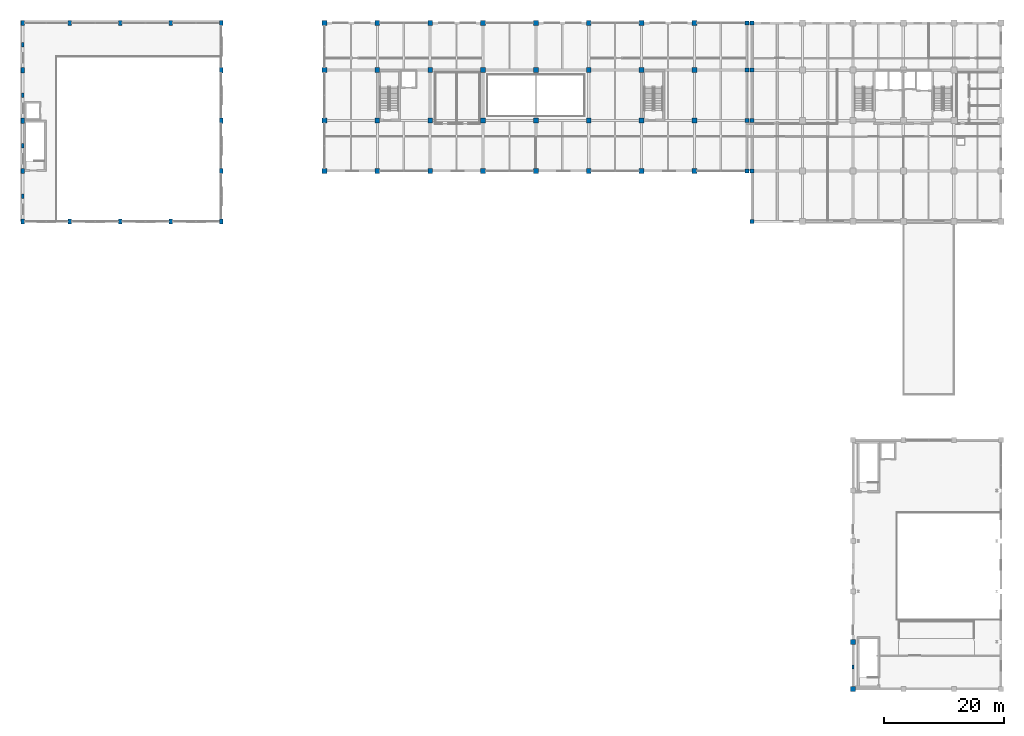
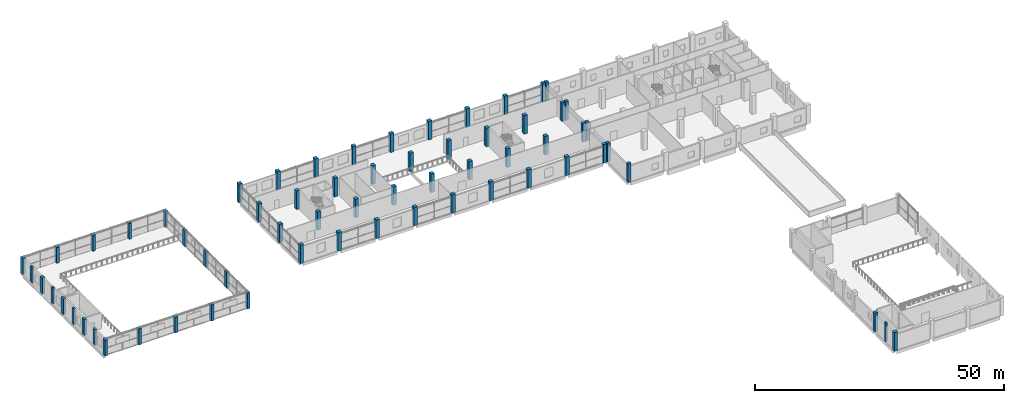
# One storey, part 1 of 31: 64 columns.
"""IFC4 building model written with IfcOpenShell, lengths in metres."""

from ifc_helpers import new_model, si_unit, direction, frame, origin, origin_2d, place, context, subcontext, project, spatial, rectangle, extrude, material, material_profile, profile_set, type_object, element, save


model = new_model("IFC4")

# Units and contexts
model_context = context("Model", 3, precision=1e-05, world=origin(), true_north=direction((0.0, 1.0)))
body_context = subcontext(model_context, "Body", "Model", "MODEL_VIEW")
ifc_project = project(units=[si_unit("LENGTHUNIT", "METRE"), si_unit("AREAUNIT", "SQUARE_METRE"), si_unit("VOLUMEUNIT", "CUBIC_METRE"), si_unit("PLANEANGLEUNIT", "RADIAN"), si_unit("MASSUNIT", "GRAM", prefix="KILO")], contexts=[model_context])

# Site, building, storey
site_placement = place(None, origin())
site = spatial("IfcSite", under=ifc_project, at=site_placement, CompositionType="ELEMENT")
building_placement = place(site_placement, origin())
building = spatial("IfcBuilding", under=site, at=building_placement, Name="Brinegate Botanical Conservatory", CompositionType="ELEMENT")
storey_placement = place(building_placement, frame((0.0, 0.0, 5.39990234375)))
storey = spatial("IfcBuildingStorey", under=building, at=storey_placement, Name="L02", CompositionType="ELEMENT", Elevation=5.39990234375)

# Columns
ifc_material_1 = material(Name="Concrete C50/60", Category="concrete")
ifc_material_profile_1 = material_profile(ifc_material_1, rectangle(XDim=0.699951171875, YDim=0.699951171875, at=origin_2d()), Name="RC COL 700x700")
ifc_profile_set_1 = profile_set([ifc_material_profile_1], Name="Concrete C50/60")
column_type_1 = type_object("IfcColumnType", Name="Col_C-JT", PredefinedType="COLUMN", material=ifc_profile_set_1)
for number, where, z_axis, x_axis, name in (
    (1, (121.14990234375, 86.800048828125, 0.0), (0.0, 0.0, 1.0), (1.0, 0.0, 0.0), "Column C-JT L02 L-15"),
    (2, (121.14990234375, 95.199951171875, 0.0), (0.0, 0.0, 1.0), (1.0, 0.0, 0.0), "Column C-JT L02 M-15"),
    (3, (121.14990234375, 103.60009765625, 0.0), (0.0, 0.0, 1.0), (1.0, 0.0, 0.0), "Column C-JT L02 N-15"),
    (4, (121.14990234375, 111.449951171875, 0.0), (0.0, 0.0, 1.0), (1.0, 0.0, 0.0), "Column C-JT L02 P-15"),
    (5, (122.0, 78.39990234375, 0.0), (0.0, 0.0, 1.0), (1.0, 0.0, 0.0), "Column C-JT L02 K-16"),
    (6, (122.0, 86.800048828125, 0.0), (0.0, 0.0, 1.0), (1.0, 0.0, 0.0), "Column C-JT L02 L-16"),
    (7, (122.0, 95.199951171875, 0.0), (0.0, 0.0, 1.0), (1.0, 0.0, 0.0), "Column C-JT L02 M-16"),
    (8, (122.0, 103.60009765625, 0.0), (0.0, 0.0, 1.0), (1.0, 0.0, 0.0), "Column C-JT L02 N-16"),
    (9, (122.0, 111.449951171875, 0.0), (0.0, 0.0, 1.0), (1.0, 0.0, 0.0), "Column C-JT L02 P-16"),
):
    element("IfcColumn", number, at=place(storey_placement, frame(where, z_axis=z_axis, x_axis=x_axis)), inside=storey, type_object=column_type_1, Name=name, PredefinedType="COLUMN", context=body_context, shape_type="SweptSolid", body=[
        extrude(rectangle(XDim=0.699951171875, YDim=0.699951171875, at=origin_2d()), origin(), (0.0, 0.0, 1.0), 4.580078125),
    ])
ifc_material_2 = material(Name="Concrete C40/50", Category="concrete")
ifc_material_profile_2 = material_profile(ifc_material_2, rectangle(XDim=0.60009765625, YDim=0.89990234375, at=origin_2d()), Name="RC PIER 600x900")
ifc_profile_set_2 = profile_set([ifc_material_profile_2], Name="Concrete C40/50")
column_type_2 = type_object("IfcColumnType", Name="Col_C-V1", PredefinedType="COLUMN", material=ifc_profile_set_2)
for number, where, z_axis, x_axis, name in (
    (10, (0.550048828125, 78.39990234375, 0.0), (0.0, 0.0, 1.0), (1.0, 0.0, 0.0), "Column C-V1 L02 K-1"),
    (11, (0.550048828125, 86.800048828125, 0.0), (0.0, 0.0, 1.0), (1.0, 0.0, 0.0), "Column C-V1 L02 L-1"),
    (12, (0.550048828125, 95.199951171875, 0.0), (0.0, 0.0, 1.0), (1.0, 0.0, 0.0), "Column C-V1 L02 M-1"),
    (13, (0.550048828125, 103.60009765625, 0.0), (0.0, 0.0, 1.0), (1.0, 0.0, 0.0), "Column C-V1 L02 N-1"),
    (14, (0.550048828125, 111.449951171875, 0.0), (0.0, 0.0, 1.0), (1.0, 0.0, 0.0), "Column C-V1 L02 P-1"),
    (15, (8.39990234375, 78.39990234375, 0.0), (0.0, 0.0, 1.0), (1.0, 0.0, 0.0), "Column C-V1 L02 K-2"),
    (16, (8.39990234375, 111.449951171875, 0.0), (0.0, 0.0, 1.0), (1.0, 0.0, 0.0), "Column C-V1 L02 P-2"),
    (17, (16.800048828125, 78.39990234375, 0.0), (0.0, 0.0, 1.0), (1.0, 0.0, 0.0), "Column C-V1 L02 K-3"),
    (18, (16.800048828125, 111.449951171875, 0.0), (0.0, 0.0, 1.0), (1.0, 0.0, 0.0), "Column C-V1 L02 P-3"),
    (19, (25.199951171875, 78.39990234375, 0.0), (0.0, 0.0, 1.0), (1.0, 0.0, 0.0), "Column C-V1 L02 K-4"),
    (20, (25.199951171875, 111.449951171875, 0.0), (0.0, 0.0, 1.0), (1.0, 0.0, 0.0), "Column C-V1 L02 P-4"),
    (21, (33.60009765625, 78.39990234375, 0.0), (0.0, 0.0, 1.0), (1.0, 0.0, 0.0), "Column C-V1 L02 K-5"),
    (22, (33.60009765625, 86.800048828125, 0.0), (0.0, 0.0, 1.0), (1.0, 0.0, 0.0), "Column C-V1 L02 L-5"),
    (23, (33.60009765625, 95.199951171875, 0.0), (0.0, 0.0, 1.0), (1.0, 0.0, 0.0), "Column C-V1 L02 M-5"),
    (24, (33.60009765625, 103.60009765625, 0.0), (0.0, 0.0, 1.0), (1.0, 0.0, 0.0), "Column C-V1 L02 N-5"),
    (25, (33.60009765625, 111.449951171875, 0.0), (0.0, 0.0, 1.0), (1.0, 0.0, 0.0), "Column C-V1 L02 P-5"),
):
    element("IfcColumn", number, at=place(storey_placement, frame(where, z_axis=z_axis, x_axis=x_axis)), inside=storey, type_object=column_type_2, Name=name, PredefinedType="COLUMN", context=body_context, shape_type="SweptSolid", body=[
        extrude(rectangle(XDim=0.60009765625, YDim=0.89990234375, at=origin_2d()), origin(), (0.0, 0.0, 1.0), 3.900146484375),
    ])
ifc_material_profile_3 = material_profile(ifc_material_2, rectangle(XDim=0.800048828125, YDim=0.800048828125, at=origin_2d()), Name="RC COL 800x800")
ifc_profile_set_3 = profile_set([ifc_material_profile_3], Name="Concrete C40/50")
column_type_3 = type_object("IfcColumnType", Name="Col_C-W1", PredefinedType="COLUMN", material=ifc_profile_set_3)
for number, where, z_axis, x_axis, name in (
    (26, (50.800048828125, 86.800048828125, 0.0), (0.0, 0.0, 1.0), (1.0, 0.0, 0.0), "Column C-W1 L02 L-7"),
    (27, (50.800048828125, 95.199951171875, 0.0), (0.0, 0.0, 1.0), (1.0, 0.0, 0.0), "Column C-W1 L02 M-7"),
    (28, (50.800048828125, 103.60009765625, 0.0), (0.0, 0.0, 1.0), (1.0, 0.0, 0.0), "Column C-W1 L02 N-7"),
    (29, (50.800048828125, 111.449951171875, 0.0), (0.0, 0.0, 1.0), (1.0, 0.0, 0.0), "Column C-W1 L02 P-7"),
    (30, (59.60009765625, 86.800048828125, 0.0), (0.0, 0.0, 1.0), (1.0, 0.0, 0.0), "Column C-W1 L02 L-8"),
    (31, (59.60009765625, 95.199951171875, 0.0), (0.0, 0.0, 1.0), (1.0, 0.0, 0.0), "Column C-W1 L02 M-8"),
    (32, (59.60009765625, 103.60009765625, 0.0), (0.0, 0.0, 1.0), (1.0, 0.0, 0.0), "Column C-W1 L02 N-8"),
    (33, (59.60009765625, 111.449951171875, 0.0), (0.0, 0.0, 1.0), (1.0, 0.0, 0.0), "Column C-W1 L02 P-8"),
    (34, (68.39990234375, 86.800048828125, 0.0), (0.0, 0.0, 1.0), (1.0, 0.0, 0.0), "Column C-W1 L02 L-9"),
    (35, (68.39990234375, 95.199951171875, 0.0), (0.0, 0.0, 1.0), (1.0, 0.0, 0.0), "Column C-W1 L02 M-9"),
    (36, (68.39990234375, 103.60009765625, 0.0), (0.0, 0.0, 1.0), (1.0, 0.0, 0.0), "Column C-W1 L02 N-9"),
    (37, (68.39990234375, 111.449951171875, 0.0), (0.0, 0.0, 1.0), (1.0, 0.0, 0.0), "Column C-W1 L02 P-9"),
    (38, (77.199951171875, 86.800048828125, 0.0), (0.0, 0.0, 1.0), (1.0, 0.0, 0.0), "Column C-W1 L02 L-10"),
    (39, (77.199951171875, 95.199951171875, 0.0), (0.0, 0.0, 1.0), (1.0, 0.0, 0.0), "Column C-W1 L02 M-10"),
    (40, (77.199951171875, 103.60009765625, 0.0), (0.0, 0.0, 1.0), (1.0, 0.0, 0.0), "Column C-W1 L02 N-10"),
    (41, (77.199951171875, 111.449951171875, 0.0), (0.0, 0.0, 1.0), (1.0, 0.0, 0.0), "Column C-W1 L02 P-10"),
    (42, (86.0, 86.800048828125, 0.0), (0.0, 0.0, 1.0), (1.0, 0.0, 0.0), "Column C-W1 L02 L-11"),
    (43, (86.0, 95.199951171875, 0.0), (0.0, 0.0, 1.0), (1.0, 0.0, 0.0), "Column C-W1 L02 M-11"),
    (44, (86.0, 103.60009765625, 0.0), (0.0, 0.0, 1.0), (1.0, 0.0, 0.0), "Column C-W1 L02 N-11"),
    (45, (86.0, 111.449951171875, 0.0), (0.0, 0.0, 1.0), (1.0, 0.0, 0.0), "Column C-W1 L02 P-11"),
    (46, (94.800048828125, 86.800048828125, 0.0), (0.0, 0.0, 1.0), (1.0, 0.0, 0.0), "Column C-W1 L02 L-12"),
    (47, (94.800048828125, 95.199951171875, 0.0), (0.0, 0.0, 1.0), (1.0, 0.0, 0.0), "Column C-W1 L02 M-12"),
    (48, (94.800048828125, 103.60009765625, 0.0), (0.0, 0.0, 1.0), (1.0, 0.0, 0.0), "Column C-W1 L02 N-12"),
    (49, (94.800048828125, 111.449951171875, 0.0), (0.0, 0.0, 1.0), (1.0, 0.0, 0.0), "Column C-W1 L02 P-12"),
    (50, (103.60009765625, 86.800048828125, 0.0), (0.0, 0.0, 1.0), (1.0, 0.0, 0.0), "Column C-W1 L02 L-13"),
    (51, (103.60009765625, 95.199951171875, 0.0), (0.0, 0.0, 1.0), (1.0, 0.0, 0.0), "Column C-W1 L02 M-13"),
    (52, (103.60009765625, 103.60009765625, 0.0), (0.0, 0.0, 1.0), (1.0, 0.0, 0.0), "Column C-W1 L02 N-13"),
    (53, (103.60009765625, 111.449951171875, 0.0), (0.0, 0.0, 1.0), (1.0, 0.0, 0.0), "Column C-W1 L02 P-13"),
    (54, (112.39990234375, 86.800048828125, 0.0), (0.0, 0.0, 1.0), (1.0, 0.0, 0.0), "Column C-W1 L02 L-14"),
    (55, (112.39990234375, 95.199951171875, 0.0), (0.0, 0.0, 1.0), (1.0, 0.0, 0.0), "Column C-W1 L02 M-14"),
    (56, (112.39990234375, 103.60009765625, 0.0), (0.0, 0.0, 1.0), (1.0, 0.0, 0.0), "Column C-W1 L02 N-14"),
    (57, (112.39990234375, 111.449951171875, 0.0), (0.0, 0.0, 1.0), (1.0, 0.0, 0.0), "Column C-W1 L02 P-14"),
):
    element("IfcColumn", number, at=place(storey_placement, frame(where, z_axis=z_axis, x_axis=x_axis)), inside=storey, type_object=column_type_3, Name=name, PredefinedType="COLUMN", context=body_context, shape_type="SweptSolid", body=[
        extrude(rectangle(XDim=0.800048828125, YDim=0.800048828125, at=origin_2d()), origin(), (0.0, 0.0, 1.0), 4.580078125),
    ])
for number, where, z_axis, x_axis, name in (
    (58, (138.800048828125, 0.550048828125, 0.0), (0.0, 0.0, 1.0), (1.0, 0.0, 0.0), "Column C-W1 L02 A-18"),
    (59, (138.800048828125, 8.39990234375, 0.0), (0.0, 0.0, 1.0), (1.0, 0.0, 0.0), "Column C-W1 L02 B-18"),
):
    element("IfcColumn", number, at=place(storey_placement, frame(where, z_axis=z_axis, x_axis=x_axis)), inside=storey, type_object=column_type_3, Name=name, PredefinedType="COLUMN", context=body_context, shape_type="SweptSolid", body=[
        extrude(rectangle(XDim=0.800048828125, YDim=0.800048828125, at=origin_2d()), origin(), (0.0, 0.0, 1.0), 4.60009765625),
    ])
ifc_material_profile_4 = material_profile(ifc_material_1, rectangle(XDim=0.449951171875, YDim=0.75, at=origin_2d()), Name="RC PILASTER 450x750")
ifc_profile_set_4 = profile_set([ifc_material_profile_4], Name="Concrete C50/60")
column_type_4 = type_object("IfcColumnType", Name="Col_PL-W1", PredefinedType="PILASTER", material=ifc_profile_set_4)
for number, where, z_axis, x_axis, name in (
    (60, (0.550048828125, 82.60009765625, 0.0), (0.0, 0.0, 1.0), (1.0, 0.0, 0.0), "Warehouse pilaster PL-W1 L02 PL-W-V1A"),
    (61, (0.550048828125, 91.0, 0.0), (0.0, 0.0, 1.0), (1.0, 0.0, 0.0), "Warehouse pilaster PL-W1 L02 PL-W-V1B"),
    (62, (0.550048828125, 99.39990234375, 0.0), (0.0, 0.0, 1.0), (1.0, 0.0, 0.0), "Warehouse pilaster PL-W1 L02 PL-W-V1C"),
    (63, (0.550048828125, 107.800048828125, 0.0), (0.0, 0.0, 1.0), (1.0, 0.0, 0.0), "Warehouse pilaster PL-W1 L02 PL-W-V1D"),
):
    element("IfcColumn", number, at=place(storey_placement, frame(where, z_axis=z_axis, x_axis=x_axis)), inside=storey, type_object=column_type_4, Name=name, PredefinedType="PILASTER", context=body_context, shape_type="SweptSolid", body=[
        extrude(rectangle(XDim=0.449951171875, YDim=0.75, at=origin_2d()), origin(), (0.0, 0.0, 1.0), 3.900146484375),
    ])
ifc_material_profile_5 = material_profile(ifc_material_2, rectangle(XDim=0.39990234375, YDim=0.64990234375, at=origin_2d()), Name="RC PILASTER 400x650")
ifc_profile_set_5 = profile_set([ifc_material_profile_5], Name="Concrete C40/50")
column_type_5 = type_object("IfcColumnType", Name="Col_PL-W2", PredefinedType="PILASTER", material=ifc_profile_set_5)
column_placement = place(storey_placement, frame((138.800048828125, 4.199951171875, 0.0), z_axis=(0.0, 0.0, 1.0), x_axis=(1.0, 0.0, 0.0)))
element("IfcColumn", 64, at=column_placement, inside=storey, type_object=column_type_5, Name="Warehouse pilaster PL-W2 L02 PL-W-V2A", PredefinedType="PILASTER", context=body_context, shape_type="SweptSolid", body=[
    extrude(rectangle(XDim=0.39990234375, YDim=0.64990234375, at=origin_2d()), origin(), (0.0, 0.0, 1.0), 4.60009765625),
])

save(model, "model.ifc")
